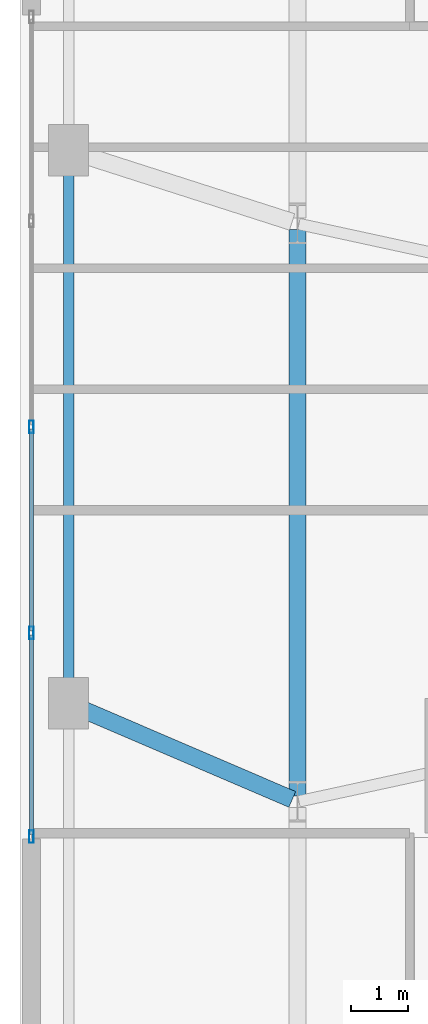
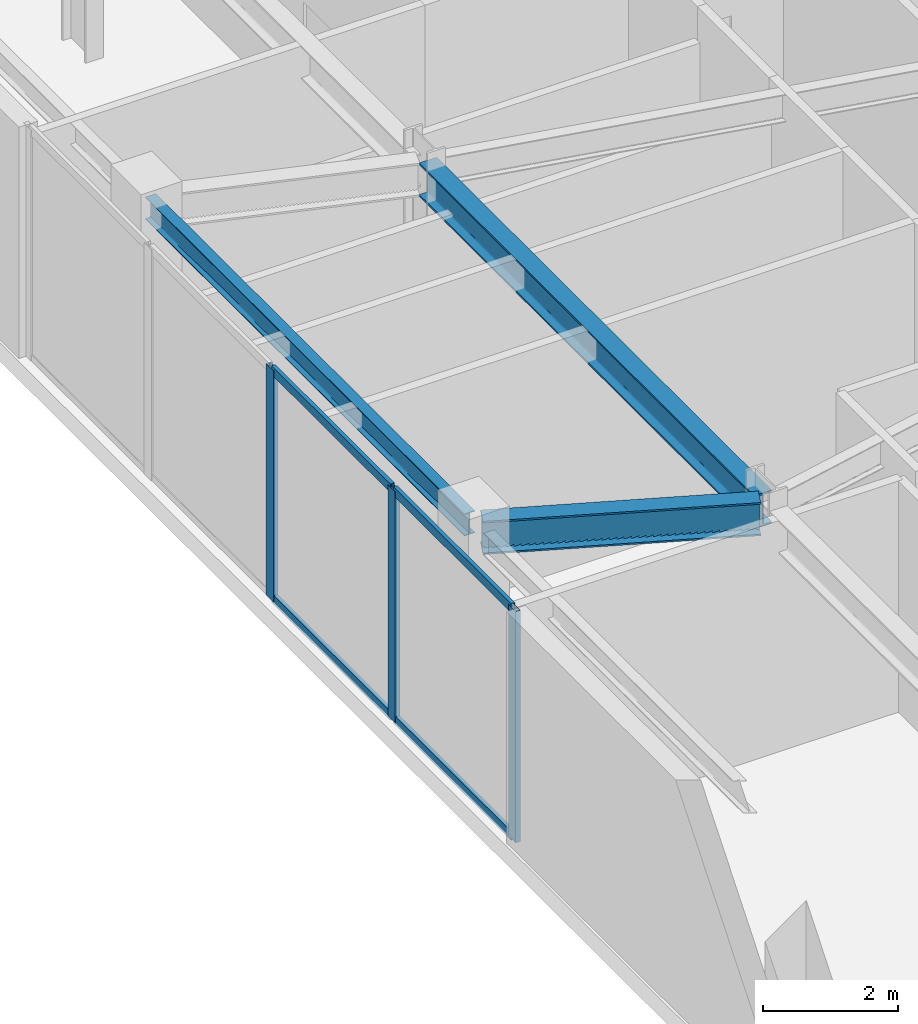
# One storey, part 5 of 21: 7 members, 3 beams, 1 element without a shape of its own.
"""IFC4 building model written with IfcOpenShell, lengths in metres."""

from ifc_helpers import new_model, si_unit, direction, frame, origin, origin_2d, place, context, subcontext, project, spatial, hollow_rectangle, i_section, extrude, material, layer, layer_set, material_profile, profile_set, type_object, element, aggregate, save


model = new_model("IFC4")

# Units and contexts
model_context = context("Model", 3, precision=1e-05, world=origin(), true_north=direction((0.0, 1.0)))
body_context = subcontext(model_context, "Body", "Model", "MODEL_VIEW")
ifc_project = project(units=[si_unit("LENGTHUNIT", "METRE"), si_unit("AREAUNIT", "SQUARE_METRE"), si_unit("VOLUMEUNIT", "CUBIC_METRE"), si_unit("PLANEANGLEUNIT", "RADIAN"), si_unit("MASSUNIT", "GRAM", prefix="KILO")], contexts=[model_context])

# Site, building, storey
site_placement = place(None, origin())
site = spatial("IfcSite", under=ifc_project, at=site_placement, CompositionType="ELEMENT")
building_placement = place(site_placement, origin())
building = spatial("IfcBuilding", under=site, at=building_placement, Name="Qobustan Lattice House", CompositionType="ELEMENT")
storey_placement = place(building_placement, frame((0.0, 0.0, 18.0)))
storey = spatial("IfcBuildingStorey", under=building, at=storey_placement, Name="L04", CompositionType="ELEMENT", Elevation=18.0)

# Beams
ifc_material_1 = material(Name="Steel S355", Category="steel")
ifc_material_profile_1 = material_profile(ifc_material_1, i_section(OverallWidth=0.300048828125, OverallDepth=0.60009765625, WebThickness=0.015380859375, FlangeThickness=0.030029296875, FilletRadius=0.027099609375, at=origin_2d()), Name="HEB600")
ifc_profile_set_1 = profile_set([ifc_material_profile_1], Name="Steel S355")
beam_type_1 = type_object("IfcBeamType", Name="BM-POD-HEB600", PredefinedType="USERDEFINED", material=ifc_profile_set_1)
beam_1_placement = place(storey_placement, frame((-32.14990234375, 4.949951171875, 3.8701171875), z_axis=(0.0, -1.0, 0.0), x_axis=(1.0, 0.0, 0.0)))
element("IfcBeam", 1, at=beam_1_placement, inside=storey, type_object=beam_type_1, Name="L04 tower base ring girder W2-W3", ObjectType="GIRDER", PredefinedType="USERDEFINED", context=body_context, shape_type="SweptSolid", body=[
    extrude(i_section(OverallWidth=0.300048828125, OverallDepth=0.60009765625, WebThickness=0.015380859375, FlangeThickness=0.030029296875, FilletRadius=0.027099609375, at=origin_2d()), origin(), (0.0, 0.0, 1.0), 9.89990234375),
])
beam_2_placement = place(storey_placement, frame((-36.039794921875, -3.380615234375, 3.8701171875), z_axis=(0.918949362679, -0.394375542893, 0.0), x_axis=(0.394375542893, 0.918949362679, 0.0)))
element("IfcBeam", 2, at=beam_2_placement, inside=storey, type_object=beam_type_1, Name="L04 podium radial girder PW2", ObjectType="GIRDER", PredefinedType="USERDEFINED", context=body_context, shape_type="SweptSolid", body=[
    extrude(i_section(OverallWidth=0.300048828125, OverallDepth=0.60009765625, WebThickness=0.015380859375, FlangeThickness=0.030029296875, FilletRadius=0.027099609375, at=origin_2d()), origin(), (0.0, 0.0, 1.0), 4.1328125),
])
ifc_material_2 = material(Name="Steel S355", Category="steel")
ifc_material_profile_2 = material_profile(ifc_material_2, i_section(OverallWidth=0.179931640625, OverallDepth=0.39990234375, WebThickness=0.008544921875, FlangeThickness=0.013427734375, FilletRadius=0.02099609375, at=origin_2d()), Name="IPE400")
ifc_profile_set_2 = profile_set([ifc_material_profile_2], Name="Steel S355")
beam_type_2 = type_object("IfcBeamType", Name="BM-SPD-IPE400", PredefinedType="SPANDREL", material=ifc_profile_set_2)
beam_3_placement = place(storey_placement, frame((-36.14990234375, -3.21337890625, 3.969970703125), z_axis=(0.0, 1.0, 0.0), x_axis=(-1.0, 0.0, 0.0)))
element("IfcBeam", 3, at=beam_3_placement, inside=storey, type_object=beam_type_2, Name="L04 podium spandrel PW2-PW3", PredefinedType="SPANDREL", context=body_context, shape_type="SweptSolid", body=[
    extrude(i_section(OverallWidth=0.179931640625, OverallDepth=0.39990234375, WebThickness=0.008544921875, FlangeThickness=0.013427734375, FilletRadius=0.02099609375, at=origin_2d()), origin(), (0.0, 0.0, 1.0), 9.4267578125),
])

# Curtain wall, members
ifc_material_3 = material(Name="Anodised aluminium and low-E glazing", Category="aluminium")
ifc_layer = layer(ifc_material_3, 0.219970703125)
ifc_layer_set = layer_set([ifc_layer], Name="Anodised aluminium and low-E glazing")
curtain_wall_type = type_object("IfcCurtainWallType", Name="CW-POD-01", PredefinedType="USERDEFINED", material=ifc_layer_set)
curtain_wall_placement = place(storey_placement, origin())
curtain_wall = element("IfcCurtainWall", 4, at=curtain_wall_placement, inside=storey, type_object=curtain_wall_type, Name="L04 W podium colonnade curtain wall", ObjectType="CURTAIN WALL", PredefinedType="USERDEFINED")
ifc_material_4 = material(Name="Anodised aluminium EN AW-6063 T6", Category="aluminium")
ifc_material_profile_3 = material_profile(ifc_material_4, hollow_rectangle(XDim=0.080078125, YDim=0.219970703125, WallThickness=0.0048828125, at=origin_2d()), Name="CWM-220x80")
ifc_profile_set_3 = profile_set([ifc_material_profile_3], Name="Anodised aluminium EN AW-6063 T6")
member_type_1 = type_object("IfcMemberType", Name="CWM-MAIN-220", PredefinedType="MULLION", material=ifc_profile_set_3)
member_1_placement = place(storey_placement, frame((-36.800048828125, -5.659912109375, 0.0), z_axis=(0.0, 0.0, 1.0), x_axis=(-1.0, 0.0, 0.0)))
member_1 = element("IfcMember", 5, at=member_1_placement, type_object=member_type_1, Name="CW-P1 mullion 1", PredefinedType="MULLION", context=body_context, shape_type="SweptSolid", body=[
    extrude(hollow_rectangle(XDim=0.080078125, YDim=0.219970703125, WallThickness=0.0048828125, at=origin_2d()), origin(), (0.0, 0.0, 1.0), 4.169921875),
])
member_2_placement = place(storey_placement, frame((-36.800048828125, -2.10009765625, 0.0), z_axis=(0.0, 0.0, 1.0), x_axis=(-1.0, 0.0, 0.0)))
member_2 = element("IfcMember", 6, at=member_2_placement, type_object=member_type_1, Name="CW-P1 mullion 2", PredefinedType="MULLION", context=body_context, shape_type="SweptSolid", body=[
    extrude(hollow_rectangle(XDim=0.080078125, YDim=0.219970703125, WallThickness=0.0048828125, at=origin_2d()), origin(), (0.0, 0.0, 1.0), 4.169921875),
])
member_3_placement = place(storey_placement, frame((-36.800048828125, 1.5, 0.0), z_axis=(0.0, 0.0, 1.0), x_axis=(-1.0, 0.0, 0.0)))
member_3 = element("IfcMember", 7, at=member_3_placement, type_object=member_type_1, Name="CW-P1 mullion 3", PredefinedType="MULLION", context=body_context, shape_type="SweptSolid", body=[
    extrude(hollow_rectangle(XDim=0.080078125, YDim=0.219970703125, WallThickness=0.0048828125, at=origin_2d()), origin(), (0.0, 0.0, 1.0), 4.169921875),
])
ifc_material_5 = material(Name="Anodised aluminium EN AW-6063 T6", Category="aluminium")
ifc_material_profile_4 = material_profile(ifc_material_5, hollow_rectangle(XDim=0.06494140625, YDim=0.159912109375, WallThickness=0.00390625, at=origin_2d()), Name="CWT-160x65")
ifc_profile_set_4 = profile_set([ifc_material_profile_4], Name="Anodised aluminium EN AW-6063 T6")
member_type_2 = type_object("IfcMemberType", Name="CWT-HOR-160", PredefinedType="USERDEFINED", material=ifc_profile_set_4)
member_4_placement = place(storey_placement, frame((-36.800048828125, -5.6201171875, 0.032470703125), z_axis=(0.0, 1.0, 0.0), x_axis=(-1.0, 0.0, 0.0)))
member_4 = element("IfcMember", 8, at=member_4_placement, type_object=member_type_2, Name="CW-P1 transom 1.1", ObjectType="TRANSOM", PredefinedType="USERDEFINED", context=body_context, shape_type="SweptSolid", body=[
    extrude(hollow_rectangle(XDim=0.06494140625, YDim=0.159912109375, WallThickness=0.00390625, at=origin_2d()), origin(), (0.0, 0.0, 1.0), 3.480224609375),
])
member_5_placement = place(storey_placement, frame((-36.800048828125, -5.6201171875, 4.137451171875), z_axis=(0.0, 1.0, 0.0), x_axis=(-1.0, 0.0, 0.0)))
member_5 = element("IfcMember", 9, at=member_5_placement, type_object=member_type_2, Name="CW-P1 transom 1.2", ObjectType="TRANSOM", PredefinedType="USERDEFINED", context=body_context, shape_type="SweptSolid", body=[
    extrude(hollow_rectangle(XDim=0.06494140625, YDim=0.159912109375, WallThickness=0.00390625, at=origin_2d()), origin(), (0.0, 0.0, 1.0), 3.480224609375),
])
member_6_placement = place(storey_placement, frame((-36.800048828125, -2.06005859375, 0.032470703125), z_axis=(0.0, 1.0, 0.0), x_axis=(-1.0, 0.0, 0.0)))
member_6 = element("IfcMember", 10, at=member_6_placement, type_object=member_type_2, Name="CW-P1 transom 2.1", ObjectType="TRANSOM", PredefinedType="USERDEFINED", context=body_context, shape_type="SweptSolid", body=[
    extrude(hollow_rectangle(XDim=0.06494140625, YDim=0.159912109375, WallThickness=0.00390625, at=origin_2d()), origin(), (0.0, 0.0, 1.0), 3.52001953125),
])
member_7_placement = place(storey_placement, frame((-36.800048828125, -2.06005859375, 4.137451171875), z_axis=(0.0, 1.0, 0.0), x_axis=(-1.0, 0.0, 0.0)))
member_7 = element("IfcMember", 11, at=member_7_placement, type_object=member_type_2, Name="CW-P1 transom 2.2", ObjectType="TRANSOM", PredefinedType="USERDEFINED", context=body_context, shape_type="SweptSolid", body=[
    extrude(hollow_rectangle(XDim=0.06494140625, YDim=0.159912109375, WallThickness=0.00390625, at=origin_2d()), origin(), (0.0, 0.0, 1.0), 3.52001953125),
])
aggregate(curtain_wall, [member_1, member_2, member_3, member_4, member_5, member_6, member_7])

save(model, "model.ifc")
